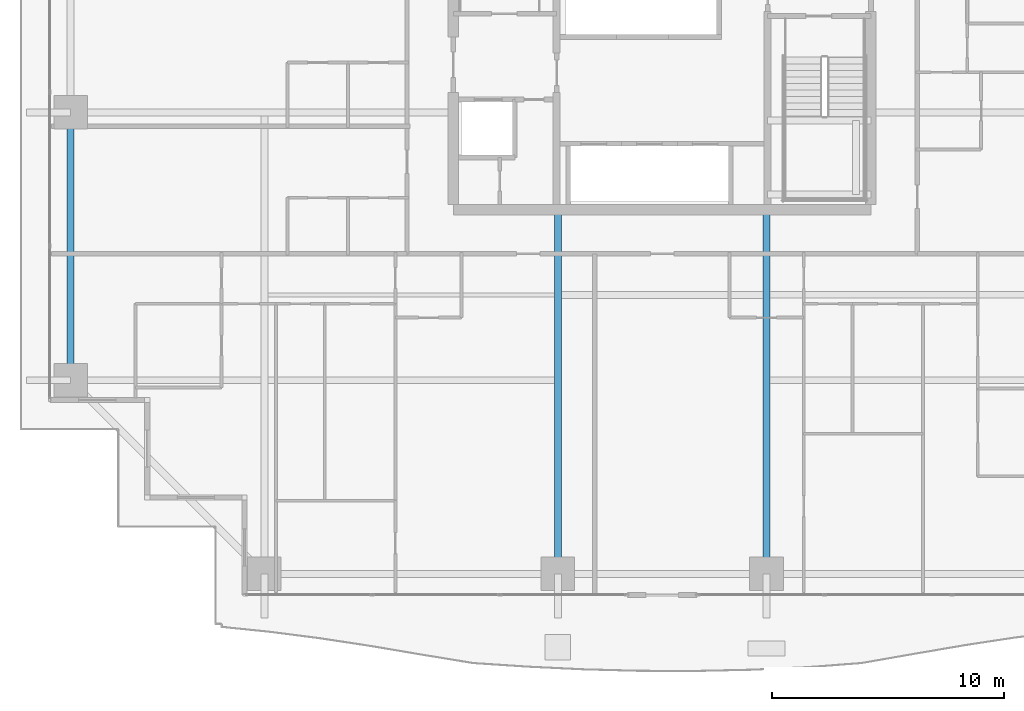
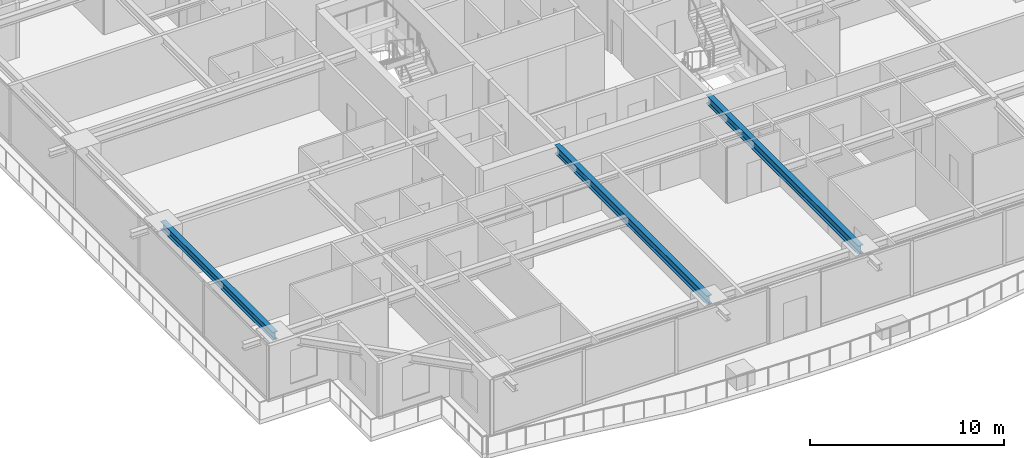
# One storey, part 6 of 39: 3 beams.
"""IFC4 building model written with IfcOpenShell, lengths in metres."""

from ifc_helpers import new_model, si_unit, direction, frame, origin, origin_2d, place, context, subcontext, project, spatial, i_section, extrude, source, transform, mapped, material, material_profile, profile_set, type_object, element, save


model = new_model("IFC4")

# Units and contexts
model_context = context("Model", 3, precision=1e-05, world=origin(), true_north=direction((0.0, 1.0)))
body_context = subcontext(model_context, "Body", "Model", "MODEL_VIEW")
ifc_project = project(units=[si_unit("LENGTHUNIT", "METRE"), si_unit("AREAUNIT", "SQUARE_METRE"), si_unit("VOLUMEUNIT", "CUBIC_METRE"), si_unit("PLANEANGLEUNIT", "RADIAN"), si_unit("MASSUNIT", "GRAM", prefix="KILO")], contexts=[model_context])

# Site, building, storey
site_placement = place(None, origin())
site = spatial("IfcSite", under=ifc_project, at=site_placement, CompositionType="ELEMENT")
building_placement = place(site_placement, origin())
building = spatial("IfcBuilding", under=site, at=building_placement, Name="Serunith Strait Residences", CompositionType="ELEMENT")
storey_placement = place(building_placement, frame((0.0, 0.0, 79.199951171875)))
storey = spatial("IfcBuildingStorey", under=building, at=storey_placement, Name="L19", CompositionType="ELEMENT", Elevation=79.199951171875)

# Beams
ifc_material = material(Name="Steel S355J2", Category="steel")
ifc_material_profile_1 = material_profile(ifc_material, i_section(OverallWidth=0.300048828125, OverallDepth=0.550048828125, WebThickness=0.014892578125, FlangeThickness=0.029052734375, FilletRadius=0.027099609375, at=origin_2d()), Name="HEB 550")
ifc_profile_set_1 = profile_set([ifc_material_profile_1], Name="Steel S355J2")
beam_type_1 = type_object("IfcBeamType", Name="BM-HEB550", PredefinedType="BEAM", material=ifc_profile_set_1)
shared_shape_1 = source(origin(), body_context, "Body", "SweptSolid", [
    extrude(i_section(OverallWidth=0.300048828125, OverallDepth=0.550048828125, WebThickness=0.014892578125, FlangeThickness=0.029052734375, FilletRadius=0.027099609375, at=origin_2d()), origin(), (0.0, 0.0, 1.0), 15.699951171875),
])
for number, where, z_axis, x_axis, name in (
    (1, (27.89990234375, 16.800048828125, 3.212158203125), (0.0, -1.0, 0.0), (1.0, 0.0, 0.0), "L19 Primary Floor Girder TC-S2"),
    (2, (36.89990234375, 16.800048828125, 3.212158203125), (0.0, -1.0, 0.0), (1.0, 0.0, 0.0), "L19 Primary Floor Girder TC-S3"),
):
    element("IfcBeam", number, at=place(storey_placement, frame(where, z_axis=z_axis, x_axis=x_axis)), inside=storey, type_object=beam_type_1, Name=name, PredefinedType="BEAM", context=body_context, shape_type="MappedRepresentation", body=[
        mapped(shared_shape_1, transform((0.0, 0.0, 0.0), scale=1.0)),
    ])
ifc_material_profile_2 = material_profile(ifc_material, i_section(OverallWidth=0.300048828125, OverallDepth=0.5, WebThickness=0.014404296875, FlangeThickness=0.028076171875, FilletRadius=0.027099609375, at=origin_2d()), Name="HEB 500")
ifc_profile_set_2 = profile_set([ifc_material_profile_2], Name="Steel S355J2")
beam_type_2 = type_object("IfcBeamType", Name="BM-HEB500", PredefinedType="BEAM", material=ifc_profile_set_2)
shared_shape_2 = source(origin(), body_context, "Body", "SweptSolid", [
    extrude(i_section(OverallWidth=0.300048828125, OverallDepth=0.5, WebThickness=0.014404296875, FlangeThickness=0.028076171875, FilletRadius=0.027099609375, at=origin_2d()), origin(), (0.0, 0.0, 1.0), 11.550048828125),
])
beam_placement = place(storey_placement, frame((6.89990234375, 21.0, 3.237060546875), z_axis=(0.0, -1.0, 0.0), x_axis=(1.0, 0.0, 0.0)))
element("IfcBeam", 3, at=beam_placement, inside=storey, type_object=beam_type_2, Name="L19 Perimeter Ring Beam 15", PredefinedType="BEAM", context=body_context, shape_type="MappedRepresentation", body=[
    mapped(shared_shape_2, transform((0.0, 0.0, 0.0), scale=1.0)),
])

save(model, "model.ifc")
